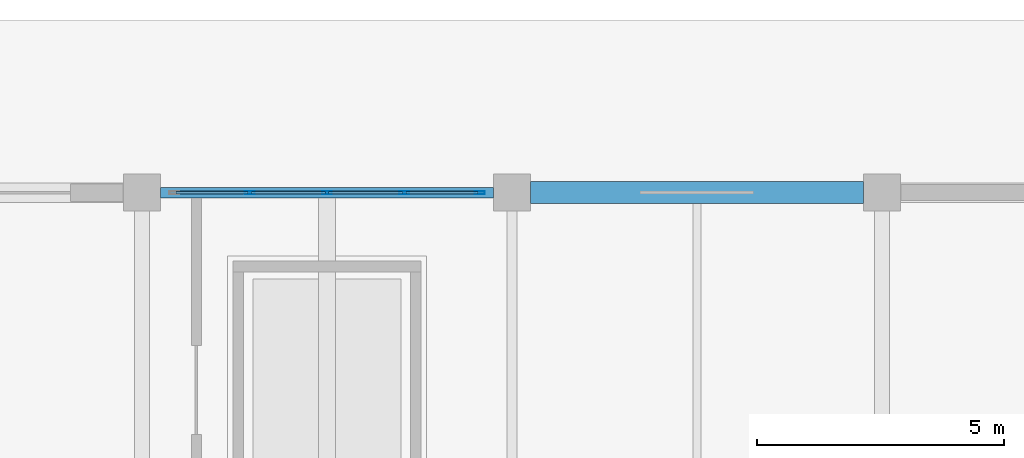
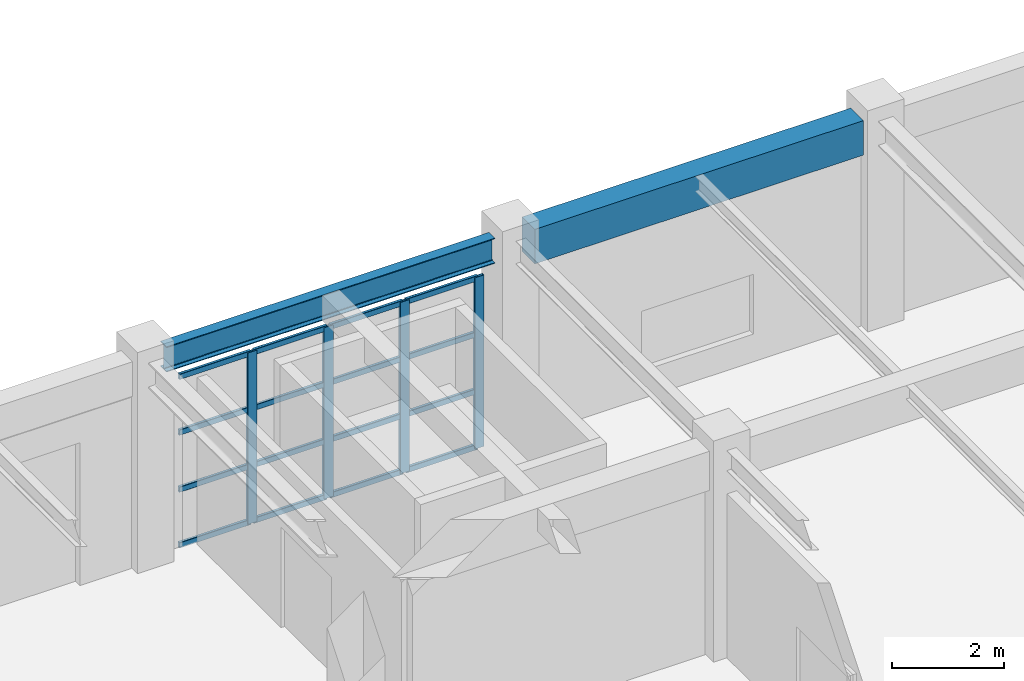
# One storey, part 68 of 122: 20 members, 2 beams, 1 element without a shape of its own.
"""IFC4 building model written with IfcOpenShell, lengths in metres."""

from ifc_helpers import new_model, si_unit, direction, frame, origin, origin_2d, place, context, subcontext, project, spatial, rectangle, hollow_rectangle, i_section, extrude, material, material_profile, profile_set, type_object, element, aggregate, save


model = new_model("IFC4")

# Units and contexts
model_context = context("Model", 3, precision=1e-05, world=origin(), true_north=direction((0.0, 1.0)))
body_context = subcontext(model_context, "Body", "Model", "MODEL_VIEW")
ifc_project = project(units=[si_unit("LENGTHUNIT", "METRE"), si_unit("AREAUNIT", "SQUARE_METRE"), si_unit("VOLUMEUNIT", "CUBIC_METRE"), si_unit("PLANEANGLEUNIT", "RADIAN"), si_unit("MASSUNIT", "GRAM", prefix="KILO")], contexts=[model_context])

# Site, building, storey
site_placement = place(None, origin())
site = spatial("IfcSite", under=ifc_project, at=site_placement, CompositionType="ELEMENT")
building_placement = place(site_placement, origin())
building = spatial("IfcBuilding", under=site, at=building_placement, Name="Qasida Concert Hall", CompositionType="ELEMENT")
storey_placement = place(building_placement, origin())
storey = spatial("IfcBuildingStorey", under=building, at=storey_placement, Name="L00", CompositionType="ELEMENT", Elevation=0.0)

# Beams
ifc_material_1 = material(Name="Steel S355J2", Category="steel")
ifc_material_profile_1 = material_profile(ifc_material_1, i_section(OverallWidth=0.2099609375, OverallDepth=0.550048828125, WebThickness=0.010986328125, FlangeThickness=0.01708984375, FilletRadius=0.02392578125, at=origin_2d()), Name="IPE 550")
ifc_profile_set_1 = profile_set([ifc_material_profile_1], Name="Steel S355J2")
beam_type_1 = type_object("IfcBeamType", Name="BM-SP2", PredefinedType="SPANDREL", material=ifc_profile_set_1)
beam_1_placement = place(storey_placement, frame((142.875, 112.5, 4.22509765625), z_axis=(1.0, 0.0, 0.0), x_axis=(0.0, 1.0, 0.0)))
element("IfcBeam", 1, at=beam_1_placement, inside=storey, type_object=beam_type_1, Name="Primary girder 0622", PredefinedType="SPANDREL", context=body_context, shape_type="SweptSolid", body=[
    extrude(i_section(OverallWidth=0.2099609375, OverallDepth=0.550048828125, WebThickness=0.010986328125, FlangeThickness=0.01708984375, FilletRadius=0.02392578125, at=origin_2d()), origin(), (0.0, 0.0, 1.0), 6.75),
])
ifc_material_2 = material(Name="Concrete C40/50", Category="concrete")
ifc_material_profile_2 = material_profile(ifc_material_2, rectangle(XDim=0.449951171875, YDim=0.75, at=origin_2d()), Name="RC 450x750")
ifc_profile_set_2 = profile_set([ifc_material_profile_2], Name="Concrete C40/50")
beam_type_2 = type_object("IfcBeamType", Name="BM-SP4", PredefinedType="SPANDREL", material=ifc_profile_set_2)
beam_2_placement = place(storey_placement, frame((150.375, 112.5, 4.125), z_axis=(1.0, 0.0, 0.0), x_axis=(0.0, 1.0, 0.0)))
element("IfcBeam", 2, at=beam_2_placement, inside=storey, type_object=beam_type_2, Name="Primary girder 0623", PredefinedType="SPANDREL", context=body_context, shape_type="SweptSolid", body=[
    extrude(rectangle(XDim=0.449951171875, YDim=0.75, at=origin_2d()), origin(), (0.0, 0.0, 1.0), 6.75),
])

# Curtain wall, members
ifc_material_3 = material(Name="Architectural bronze-anodized aluminium and low-E glass", Category="aluminium")
curtain_wall_type = type_object("IfcCurtainWallType", Name="CW-04", PredefinedType="NOTDEFINED", material=ifc_material_3)
curtain_wall_placement = place(storey_placement, origin())
curtain_wall = element("IfcCurtainWall", 3, at=curtain_wall_placement, inside=storey, type_object=curtain_wall_type, Name="L00 curtain wall CW-04 0154", PredefinedType="NOTDEFINED")
ifc_material_4 = material(Name="Architectural bronze-anodized aluminium EN AW-6063", Category="aluminium")
ifc_material_profile_3 = material_profile(ifc_material_4, hollow_rectangle(XDim=0.06494140625, YDim=0.199951171875, WallThickness=0.0048828125, InnerFilletRadius=0.0048828125, OuterFilletRadius=0.010009765625, at=origin_2d()), Name="CWM 200x65x5")
ifc_profile_set_3 = profile_set([ifc_material_profile_3], Name="Architectural bronze-anodized aluminium EN AW-6063")
member_type_1 = type_object("IfcMemberType", Name="MB-CWM-2", PredefinedType="MULLION", material=ifc_profile_set_3)
member_1_placement = place(storey_placement, frame((144.68505859375, 112.5, 0.0), z_axis=(0.0, 0.0, 1.0), x_axis=(0.0, 1.0, 0.0)))
member_1 = element("IfcMember", 4, at=member_1_placement, type_object=member_type_1, Name="CW-04 mullion 2", PredefinedType="MULLION", context=body_context, shape_type="SweptSolid", body=[
    extrude(hollow_rectangle(XDim=0.06494140625, YDim=0.199951171875, WallThickness=0.0048828125, InnerFilletRadius=0.0048828125, OuterFilletRadius=0.010009765625, at=origin_2d()), origin(), (0.0, 0.0, 1.0), 3.719970703125),
])
member_2_placement = place(storey_placement, frame((146.25, 112.5, 0.0), z_axis=(0.0, 0.0, 1.0), x_axis=(0.0, 1.0, 0.0)))
member_2 = element("IfcMember", 5, at=member_2_placement, type_object=member_type_1, Name="CW-04 mullion 3", PredefinedType="MULLION", context=body_context, shape_type="SweptSolid", body=[
    extrude(hollow_rectangle(XDim=0.06494140625, YDim=0.199951171875, WallThickness=0.0048828125, InnerFilletRadius=0.0048828125, OuterFilletRadius=0.010009765625, at=origin_2d()), origin(), (0.0, 0.0, 1.0), 3.719970703125),
])
member_3_placement = place(storey_placement, frame((147.81494140625, 112.5, 0.0), z_axis=(0.0, 0.0, 1.0), x_axis=(0.0, 1.0, 0.0)))
member_3 = element("IfcMember", 6, at=member_3_placement, type_object=member_type_1, Name="CW-04 mullion 4", PredefinedType="MULLION", context=body_context, shape_type="SweptSolid", body=[
    extrude(hollow_rectangle(XDim=0.06494140625, YDim=0.199951171875, WallThickness=0.0048828125, InnerFilletRadius=0.0048828125, OuterFilletRadius=0.010009765625, at=origin_2d()), origin(), (0.0, 0.0, 1.0), 3.719970703125),
])
member_4_placement = place(storey_placement, frame((149.347412109375, 112.5, 0.0), z_axis=(0.0, 0.0, 1.0), x_axis=(0.0, 1.0, 0.0)))
member_4 = element("IfcMember", 7, at=member_4_placement, type_object=member_type_1, Name="CW-04 mullion 5", PredefinedType="MULLION", context=body_context, shape_type="SweptSolid", body=[
    extrude(hollow_rectangle(XDim=0.06494140625, YDim=0.199951171875, WallThickness=0.0048828125, InnerFilletRadius=0.0048828125, OuterFilletRadius=0.010009765625, at=origin_2d()), origin(), (0.0, 0.0, 1.0), 3.719970703125),
])
ifc_material_profile_4 = material_profile(ifc_material_4, hollow_rectangle(XDim=0.06005859375, YDim=0.1201171875, WallThickness=0.00390625, InnerFilletRadius=0.00390625, OuterFilletRadius=0.008056640625, at=origin_2d()), Name="CWT 120x60x4")
ifc_profile_set_4 = profile_set([ifc_material_profile_4], Name="Architectural bronze-anodized aluminium EN AW-6063")
member_type_2 = type_object("IfcMemberType", Name="MB-CWT-2", PredefinedType="USERDEFINED", material=ifc_profile_set_4)
member_5_placement = place(storey_placement, frame((143.18505859375, 112.5, 0.030029296875), z_axis=(1.0, 0.0, 0.0), x_axis=(0.0, 1.0, 0.0)))
member_5 = element("IfcMember", 8, at=member_5_placement, type_object=member_type_2, Name="CW-04 transom 1.1", ObjectType="TRANSOM", PredefinedType="USERDEFINED", context=body_context, shape_type="SweptSolid", body=[
    extrude(hollow_rectangle(XDim=0.06005859375, YDim=0.1201171875, WallThickness=0.00390625, InnerFilletRadius=0.00390625, OuterFilletRadius=0.008056640625, at=origin_2d()), origin(), (0.0, 0.0, 1.0), 1.467529296875),
])
member_6_placement = place(storey_placement, frame((143.18505859375, 112.5, 1.239990234375), z_axis=(1.0, 0.0, 0.0), x_axis=(0.0, 1.0, 0.0)))
member_6 = element("IfcMember", 9, at=member_6_placement, type_object=member_type_2, Name="CW-04 transom 1.2", ObjectType="TRANSOM", PredefinedType="USERDEFINED", context=body_context, shape_type="SweptSolid", body=[
    extrude(hollow_rectangle(XDim=0.06005859375, YDim=0.1201171875, WallThickness=0.00390625, InnerFilletRadius=0.00390625, OuterFilletRadius=0.008056640625, at=origin_2d()), origin(), (0.0, 0.0, 1.0), 1.467529296875),
])
member_7_placement = place(storey_placement, frame((143.18505859375, 112.5, 2.47998046875), z_axis=(1.0, 0.0, 0.0), x_axis=(0.0, 1.0, 0.0)))
member_7 = element("IfcMember", 10, at=member_7_placement, type_object=member_type_2, Name="CW-04 transom 1.3", ObjectType="TRANSOM", PredefinedType="USERDEFINED", context=body_context, shape_type="SweptSolid", body=[
    extrude(hollow_rectangle(XDim=0.06005859375, YDim=0.1201171875, WallThickness=0.00390625, InnerFilletRadius=0.00390625, OuterFilletRadius=0.008056640625, at=origin_2d()), origin(), (0.0, 0.0, 1.0), 1.467529296875),
])
member_8_placement = place(storey_placement, frame((143.18505859375, 112.5, 3.68994140625), z_axis=(1.0, 0.0, 0.0), x_axis=(0.0, 1.0, 0.0)))
member_8 = element("IfcMember", 11, at=member_8_placement, type_object=member_type_2, Name="CW-04 transom 1.4", ObjectType="TRANSOM", PredefinedType="USERDEFINED", context=body_context, shape_type="SweptSolid", body=[
    extrude(hollow_rectangle(XDim=0.06005859375, YDim=0.1201171875, WallThickness=0.00390625, InnerFilletRadius=0.00390625, OuterFilletRadius=0.008056640625, at=origin_2d()), origin(), (0.0, 0.0, 1.0), 1.467529296875),
])
member_9_placement = place(storey_placement, frame((144.717529296875, 112.5, 0.030029296875), z_axis=(1.0, 0.0, 0.0), x_axis=(0.0, 1.0, 0.0)))
member_9 = element("IfcMember", 12, at=member_9_placement, type_object=member_type_2, Name="CW-04 transom 2.1", ObjectType="TRANSOM", PredefinedType="USERDEFINED", context=body_context, shape_type="SweptSolid", body=[
    extrude(hollow_rectangle(XDim=0.06005859375, YDim=0.1201171875, WallThickness=0.00390625, InnerFilletRadius=0.00390625, OuterFilletRadius=0.008056640625, at=origin_2d()), origin(), (0.0, 0.0, 1.0), 1.5),
])
member_10_placement = place(storey_placement, frame((144.717529296875, 112.5, 1.239990234375), z_axis=(1.0, 0.0, 0.0), x_axis=(0.0, 1.0, 0.0)))
member_10 = element("IfcMember", 13, at=member_10_placement, type_object=member_type_2, Name="CW-04 transom 2.2", ObjectType="TRANSOM", PredefinedType="USERDEFINED", context=body_context, shape_type="SweptSolid", body=[
    extrude(hollow_rectangle(XDim=0.06005859375, YDim=0.1201171875, WallThickness=0.00390625, InnerFilletRadius=0.00390625, OuterFilletRadius=0.008056640625, at=origin_2d()), origin(), (0.0, 0.0, 1.0), 1.5),
])
member_11_placement = place(storey_placement, frame((144.717529296875, 112.5, 2.47998046875), z_axis=(1.0, 0.0, 0.0), x_axis=(0.0, 1.0, 0.0)))
member_11 = element("IfcMember", 14, at=member_11_placement, type_object=member_type_2, Name="CW-04 transom 2.3", ObjectType="TRANSOM", PredefinedType="USERDEFINED", context=body_context, shape_type="SweptSolid", body=[
    extrude(hollow_rectangle(XDim=0.06005859375, YDim=0.1201171875, WallThickness=0.00390625, InnerFilletRadius=0.00390625, OuterFilletRadius=0.008056640625, at=origin_2d()), origin(), (0.0, 0.0, 1.0), 1.5),
])
member_12_placement = place(storey_placement, frame((144.717529296875, 112.5, 3.68994140625), z_axis=(1.0, 0.0, 0.0), x_axis=(0.0, 1.0, 0.0)))
member_12 = element("IfcMember", 15, at=member_12_placement, type_object=member_type_2, Name="CW-04 transom 2.4", ObjectType="TRANSOM", PredefinedType="USERDEFINED", context=body_context, shape_type="SweptSolid", body=[
    extrude(hollow_rectangle(XDim=0.06005859375, YDim=0.1201171875, WallThickness=0.00390625, InnerFilletRadius=0.00390625, OuterFilletRadius=0.008056640625, at=origin_2d()), origin(), (0.0, 0.0, 1.0), 1.5),
])
member_13_placement = place(storey_placement, frame((146.282470703125, 112.5, 0.030029296875), z_axis=(1.0, 0.0, 0.0), x_axis=(0.0, 1.0, 0.0)))
member_13 = element("IfcMember", 16, at=member_13_placement, type_object=member_type_2, Name="CW-04 transom 3.1", ObjectType="TRANSOM", PredefinedType="USERDEFINED", context=body_context, shape_type="SweptSolid", body=[
    extrude(hollow_rectangle(XDim=0.06005859375, YDim=0.1201171875, WallThickness=0.00390625, InnerFilletRadius=0.00390625, OuterFilletRadius=0.008056640625, at=origin_2d()), origin(), (0.0, 0.0, 1.0), 1.5),
])
member_14_placement = place(storey_placement, frame((146.282470703125, 112.5, 1.239990234375), z_axis=(1.0, 0.0, 0.0), x_axis=(0.0, 1.0, 0.0)))
member_14 = element("IfcMember", 17, at=member_14_placement, type_object=member_type_2, Name="CW-04 transom 3.2", ObjectType="TRANSOM", PredefinedType="USERDEFINED", context=body_context, shape_type="SweptSolid", body=[
    extrude(hollow_rectangle(XDim=0.06005859375, YDim=0.1201171875, WallThickness=0.00390625, InnerFilletRadius=0.00390625, OuterFilletRadius=0.008056640625, at=origin_2d()), origin(), (0.0, 0.0, 1.0), 1.5),
])
member_15_placement = place(storey_placement, frame((146.282470703125, 112.5, 2.47998046875), z_axis=(1.0, 0.0, 0.0), x_axis=(0.0, 1.0, 0.0)))
member_15 = element("IfcMember", 18, at=member_15_placement, type_object=member_type_2, Name="CW-04 transom 3.3", ObjectType="TRANSOM", PredefinedType="USERDEFINED", context=body_context, shape_type="SweptSolid", body=[
    extrude(hollow_rectangle(XDim=0.06005859375, YDim=0.1201171875, WallThickness=0.00390625, InnerFilletRadius=0.00390625, OuterFilletRadius=0.008056640625, at=origin_2d()), origin(), (0.0, 0.0, 1.0), 1.5),
])
member_16_placement = place(storey_placement, frame((146.282470703125, 112.5, 3.68994140625), z_axis=(1.0, 0.0, 0.0), x_axis=(0.0, 1.0, 0.0)))
member_16 = element("IfcMember", 19, at=member_16_placement, type_object=member_type_2, Name="CW-04 transom 3.4", ObjectType="TRANSOM", PredefinedType="USERDEFINED", context=body_context, shape_type="SweptSolid", body=[
    extrude(hollow_rectangle(XDim=0.06005859375, YDim=0.1201171875, WallThickness=0.00390625, InnerFilletRadius=0.00390625, OuterFilletRadius=0.008056640625, at=origin_2d()), origin(), (0.0, 0.0, 1.0), 1.5),
])
member_17_placement = place(storey_placement, frame((147.847412109375, 112.5, 0.030029296875), z_axis=(1.0, 0.0, 0.0), x_axis=(0.0, 1.0, 0.0)))
member_17 = element("IfcMember", 20, at=member_17_placement, type_object=member_type_2, Name="CW-04 transom 4.1", ObjectType="TRANSOM", PredefinedType="USERDEFINED", context=body_context, shape_type="SweptSolid", body=[
    extrude(hollow_rectangle(XDim=0.06005859375, YDim=0.1201171875, WallThickness=0.00390625, InnerFilletRadius=0.00390625, OuterFilletRadius=0.008056640625, at=origin_2d()), origin(), (0.0, 0.0, 1.0), 1.467529296875),
])
member_18_placement = place(storey_placement, frame((147.847412109375, 112.5, 1.239990234375), z_axis=(1.0, 0.0, 0.0), x_axis=(0.0, 1.0, 0.0)))
member_18 = element("IfcMember", 21, at=member_18_placement, type_object=member_type_2, Name="CW-04 transom 4.2", ObjectType="TRANSOM", PredefinedType="USERDEFINED", context=body_context, shape_type="SweptSolid", body=[
    extrude(hollow_rectangle(XDim=0.06005859375, YDim=0.1201171875, WallThickness=0.00390625, InnerFilletRadius=0.00390625, OuterFilletRadius=0.008056640625, at=origin_2d()), origin(), (0.0, 0.0, 1.0), 1.467529296875),
])
member_19_placement = place(storey_placement, frame((147.847412109375, 112.5, 2.47998046875), z_axis=(1.0, 0.0, 0.0), x_axis=(0.0, 1.0, 0.0)))
member_19 = element("IfcMember", 22, at=member_19_placement, type_object=member_type_2, Name="CW-04 transom 4.3", ObjectType="TRANSOM", PredefinedType="USERDEFINED", context=body_context, shape_type="SweptSolid", body=[
    extrude(hollow_rectangle(XDim=0.06005859375, YDim=0.1201171875, WallThickness=0.00390625, InnerFilletRadius=0.00390625, OuterFilletRadius=0.008056640625, at=origin_2d()), origin(), (0.0, 0.0, 1.0), 1.467529296875),
])
member_20_placement = place(storey_placement, frame((147.847412109375, 112.5, 3.68994140625), z_axis=(1.0, 0.0, 0.0), x_axis=(0.0, 1.0, 0.0)))
member_20 = element("IfcMember", 23, at=member_20_placement, type_object=member_type_2, Name="CW-04 transom 4.4", ObjectType="TRANSOM", PredefinedType="USERDEFINED", context=body_context, shape_type="SweptSolid", body=[
    extrude(hollow_rectangle(XDim=0.06005859375, YDim=0.1201171875, WallThickness=0.00390625, InnerFilletRadius=0.00390625, OuterFilletRadius=0.008056640625, at=origin_2d()), origin(), (0.0, 0.0, 1.0), 1.467529296875),
])
aggregate(curtain_wall, [member_1, member_2, member_3, member_4, member_5, member_6, member_7, member_8, member_9, member_10, member_11, member_12, member_13, member_14, member_15, member_16, member_17, member_18, member_19, member_20])

save(model, "model.ifc")
